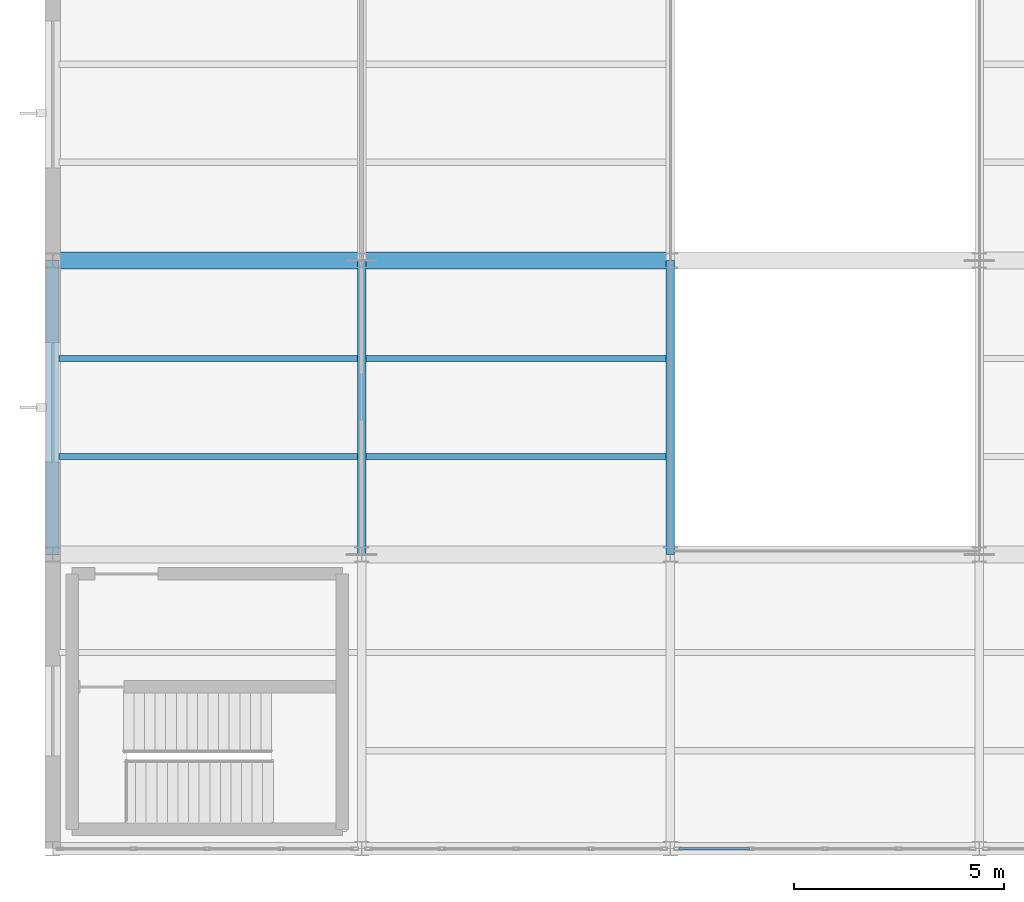
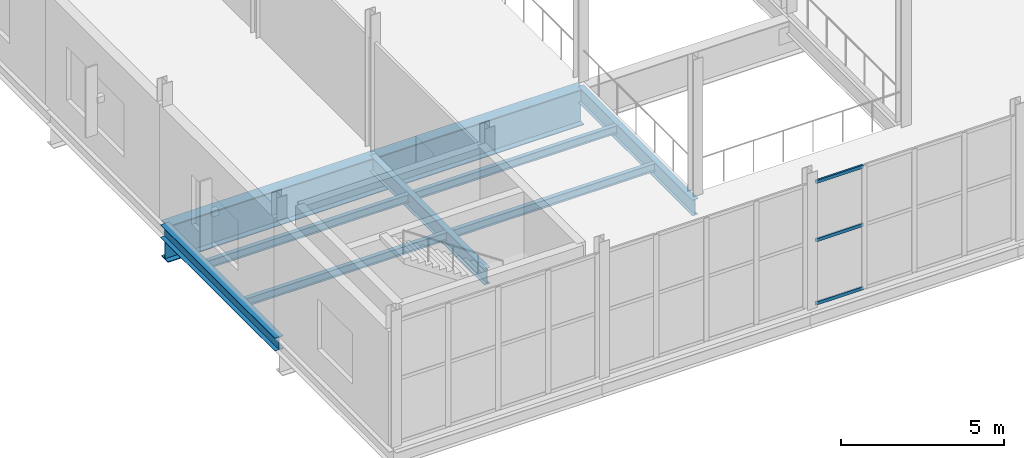
# One storey, part 35 of 218: 8 beams, 3 members, 1 element without a shape of its own.
"""IFC4 building model written with IfcOpenShell, lengths in metres."""

from ifc_helpers import new_model, si_unit, direction, frame, origin, origin_2d, place, context, subcontext, project, spatial, hollow_rectangle, i_section, extrude, material, material_profile, profile_set, type_object, element, aggregate, save


model = new_model("IFC4")

# Units and contexts
model_context = context("Model", 3, precision=1e-05, world=origin(), true_north=direction((0.0, 1.0)))
body_context = subcontext(model_context, "Body", "Model", "MODEL_VIEW")
ifc_project = project(units=[si_unit("LENGTHUNIT", "METRE"), si_unit("AREAUNIT", "SQUARE_METRE"), si_unit("VOLUMEUNIT", "CUBIC_METRE"), si_unit("PLANEANGLEUNIT", "RADIAN"), si_unit("MASSUNIT", "GRAM", prefix="KILO")], contexts=[model_context])

# Site, building, storey
site_placement = place(None, origin())
site = spatial("IfcSite", under=ifc_project, at=site_placement, CompositionType="ELEMENT")
building_placement = place(site_placement, origin())
building = spatial("IfcBuilding", under=site, at=building_placement, Name="Kazenagashi Tramway Depot", CompositionType="ELEMENT")
storey_placement = place(building_placement, frame((0.0, 0.0, 6.0)))
storey = spatial("IfcBuildingStorey", under=building, at=storey_placement, Name="L02", CompositionType="ELEMENT", Elevation=6.0)

# Beams
ifc_material_1 = material(Name="Steel SN490B", Category="steel")
ifc_material_profile_1 = material_profile(ifc_material_1, i_section(OverallWidth=0.2, OverallDepth=0.6, WebThickness=0.011, FlangeThickness=0.017, at=origin_2d()), Name="H-600x200x11x17")
ifc_profile_set_1 = profile_set([ifc_material_profile_1], Name="Steel SN490B")
beam_type_1 = type_object("IfcBeamType", Name="G-03", PredefinedType="BEAM", material=ifc_profile_set_1)
for number, where, z_axis, x_axis, name in (
    (1, (7.35, 7.0, -0.55), (0.0, 1.0, 0.0), (-1.0, 0.0, 0.0), "Beam G-03 BM-0083"),
    (2, (14.7, 7.0, -0.55), (0.0, 1.0, 0.0), (-1.0, 0.0, 0.0), "Beam G-03 BM-0110"),
):
    element("IfcBeam", number, at=place(storey_placement, frame(where, z_axis=z_axis, x_axis=x_axis)), inside=storey, type_object=beam_type_1, Name=name, PredefinedType="BEAM", context=body_context, shape_type="SweptSolid", body=[
        extrude(i_section(OverallWidth=0.2, OverallDepth=0.6, WebThickness=0.011, FlangeThickness=0.017, at=origin_2d()), origin(), (0.0, 0.0, 1.0), 7.0),
    ])
ifc_material_2 = material(Name="Steel SN400B", Category="steel")
ifc_material_profile_2 = material_profile(ifc_material_2, i_section(OverallWidth=0.15, OverallDepth=0.3, WebThickness=0.0065, FlangeThickness=0.009, at=origin_2d()), Name="H-300x150x6.5x9")
ifc_profile_set_2 = profile_set([ifc_material_profile_2], Name="Steel SN400B")
beam_type_2 = type_object("IfcBeamType", Name="J-02", PredefinedType="JOIST", material=ifc_profile_set_2)
for number, where, z_axis, x_axis, name in (
    (3, (0.15, 9.333, -0.4), (1.0, 0.0, 0.0), (0.0, 1.0, 0.0), "Beam J-02 BM-0058"),
    (4, (0.15, 11.667, -0.4), (1.0, 0.0, 0.0), (0.0, 1.0, 0.0), "Beam J-02 BM-0059"),
):
    element("IfcBeam", number, at=place(storey_placement, frame(where, z_axis=z_axis, x_axis=x_axis)), inside=storey, type_object=beam_type_2, Name=name, PredefinedType="JOIST", context=body_context, shape_type="SweptSolid", body=[
        extrude(i_section(OverallWidth=0.15, OverallDepth=0.3, WebThickness=0.0065, FlangeThickness=0.009, at=origin_2d()), origin(), (0.0, 0.0, 1.0), 7.1),
    ])
for number, where, z_axis, x_axis, name in (
    (5, (7.45, 9.333, -0.4), (1.0, 0.0, 0.0), (0.0, 1.0, 0.0), "Beam J-02 BM-0084"),
    (6, (7.45, 11.667, -0.4), (1.0, 0.0, 0.0), (0.0, 1.0, 0.0), "Beam J-02 BM-0085"),
):
    element("IfcBeam", number, at=place(storey_placement, frame(where, z_axis=z_axis, x_axis=x_axis)), inside=storey, type_object=beam_type_2, Name=name, PredefinedType="JOIST", context=body_context, shape_type="SweptSolid", body=[
        extrude(i_section(OverallWidth=0.15, OverallDepth=0.3, WebThickness=0.0065, FlangeThickness=0.009, at=origin_2d()), origin(), (0.0, 0.0, 1.0), 7.15),
    ])
ifc_material_profile_3 = material_profile(ifc_material_1, i_section(OverallWidth=0.3, OverallDepth=0.488, WebThickness=0.011, FlangeThickness=0.018, at=origin_2d()), Name="H-488x300x11x18")
ifc_profile_set_3 = profile_set([ifc_material_profile_3], Name="Steel SN490B")
beam_type_3 = type_object("IfcBeamType", Name="SP-02", PredefinedType="SPANDREL", material=ifc_profile_set_3)
beam_1_placement = place(storey_placement, frame((0.0, 7.0, -0.494), z_axis=(0.0, 1.0, 0.0), x_axis=(-1.0, 0.0, 0.0)))
element("IfcBeam", 7, at=beam_1_placement, inside=storey, type_object=beam_type_3, Name="Beam SP-02 BM-0057", PredefinedType="SPANDREL", context=body_context, shape_type="SweptSolid", body=[
    extrude(i_section(OverallWidth=0.3, OverallDepth=0.488, WebThickness=0.011, FlangeThickness=0.018, at=origin_2d()), origin(), (0.0, 0.0, 1.0), 7.0),
])
ifc_material_profile_4 = material_profile(ifc_material_1, i_section(OverallWidth=0.4, OverallDepth=1.35, WebThickness=0.019, FlangeThickness=0.032, at=origin_2d()), Name="BH-1350x400x19x32")
ifc_profile_set_4 = profile_set([ifc_material_profile_4], Name="Steel SN490B")
beam_type_4 = type_object("IfcBeamType", Name="TG-01", PredefinedType="BEAM", material=ifc_profile_set_4)
beam_2_placement = place(storey_placement, frame((0.0, 14.0, -0.925), z_axis=(1.0, 0.0, 0.0), x_axis=(0.0, 1.0, 0.0)))
element("IfcBeam", 8, at=beam_2_placement, inside=storey, type_object=beam_type_4, Name="Transfer Girder TG-01 BM-0003", PredefinedType="BEAM", context=body_context, shape_type="SweptSolid", body=[
    extrude(i_section(OverallWidth=0.4, OverallDepth=1.35, WebThickness=0.019, FlangeThickness=0.032, at=origin_2d()), origin(), (0.0, 0.0, 1.0), 14.7),
])

# Curtain wall, members
ifc_material_3 = material(Name="Anodised Aluminium and Low-E Glazing", Category="aluminium")
curtain_wall_type = type_object("IfcCurtainWallType", Name="CW-25", PredefinedType="USERDEFINED", material=ifc_material_3)
curtain_wall_placement = place(storey_placement, origin())
curtain_wall = element("IfcCurtainWall", 9, at=curtain_wall_placement, inside=storey, type_object=curtain_wall_type, Name="Industrial Glazed Screen CW-25 CW-0138", ObjectType="GLAZED SCREEN", PredefinedType="USERDEFINED")
ifc_material_4 = material(Name="Anodised Aluminium", Category="aluminium")
ifc_material_profile_5 = material_profile(ifc_material_4, hollow_rectangle(XDim=0.06, YDim=0.12, WallThickness=0.004, at=origin_2d()), Name="RHS-120x60x4")
ifc_profile_set_5 = profile_set([ifc_material_profile_5], Name="Anodised Aluminium")
member_type = type_object("IfcMemberType", Name="TR-01", PredefinedType="USERDEFINED", material=ifc_profile_set_5)
member_1_placement = place(storey_placement, frame((14.9, 0.0, 0.03), z_axis=(1.0, 0.0, 0.0), x_axis=(0.0, 1.0, 0.0)))
member_1 = element("IfcMember", 10, at=member_1_placement, type_object=member_type, Name="CW-25 transom 1.1", ObjectType="TRANSOM", PredefinedType="USERDEFINED", context=body_context, shape_type="SweptSolid", body=[
    extrude(hollow_rectangle(XDim=0.06, YDim=0.12, WallThickness=0.004, at=origin_2d()), origin(), (0.0, 0.0, 1.0), 1.6775),
])
member_2_placement = place(storey_placement, frame((14.9, 0.0, 2.392), z_axis=(1.0, 0.0, 0.0), x_axis=(0.0, 1.0, 0.0)))
member_2 = element("IfcMember", 11, at=member_2_placement, type_object=member_type, Name="CW-25 transom 1.2", ObjectType="TRANSOM", PredefinedType="USERDEFINED", context=body_context, shape_type="SweptSolid", body=[
    extrude(hollow_rectangle(XDim=0.06, YDim=0.12, WallThickness=0.004, at=origin_2d()), origin(), (0.0, 0.0, 1.0), 1.6775),
])
member_3_placement = place(storey_placement, frame((14.9, 0.0, 4.57), z_axis=(1.0, 0.0, 0.0), x_axis=(0.0, 1.0, 0.0)))
member_3 = element("IfcMember", 12, at=member_3_placement, type_object=member_type, Name="CW-25 transom 1.3", ObjectType="TRANSOM", PredefinedType="USERDEFINED", context=body_context, shape_type="SweptSolid", body=[
    extrude(hollow_rectangle(XDim=0.06, YDim=0.12, WallThickness=0.004, at=origin_2d()), origin(), (0.0, 0.0, 1.0), 1.6775),
])
aggregate(curtain_wall, [member_1, member_2, member_3])

save(model, "model.ifc")
